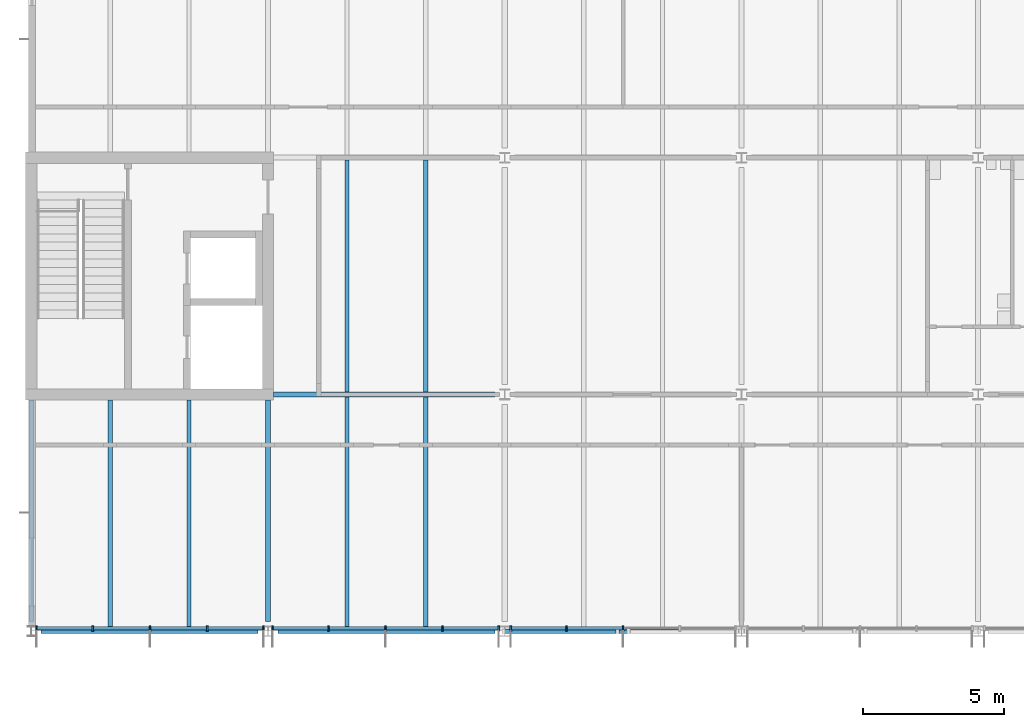
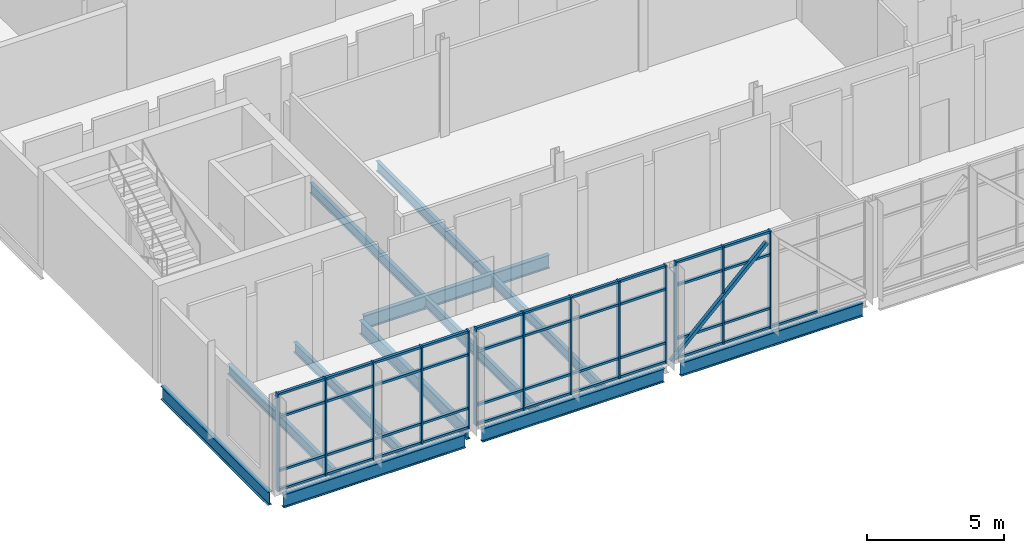
# One storey, part 11 of 89: 55 members, 12 beams, 3 elements without a shape of their own.
"""IFC4 building model written with IfcOpenShell, lengths in metres."""

from ifc_helpers import new_model, si_unit, direction, frame, origin, origin_2d, place, context, subcontext, project, spatial, rectangle, hollow_rectangle, i_section, extrude, material, material_profile, profile_set, type_object, element, aggregate, save


model = new_model("IFC4")

# Units and contexts
model_context = context("Model", 3, precision=1e-05, world=origin(), true_north=direction((0.0, 1.0)))
body_context = subcontext(model_context, "Body", "Model", "MODEL_VIEW")
ifc_project = project(units=[si_unit("LENGTHUNIT", "METRE"), si_unit("AREAUNIT", "SQUARE_METRE"), si_unit("VOLUMEUNIT", "CUBIC_METRE"), si_unit("PLANEANGLEUNIT", "RADIAN"), si_unit("MASSUNIT", "GRAM", prefix="KILO")], contexts=[model_context])

# Site, building, storey
site_placement = place(None, origin())
site = spatial("IfcSite", under=ifc_project, at=site_placement, CompositionType="ELEMENT")
building_placement = place(site_placement, origin())
building = spatial("IfcBuilding", under=site, at=building_placement, Name="Hlaing Beacon Police Headquarters", CompositionType="ELEMENT")
storey_placement = place(building_placement, frame((0.0, 0.0, 9.89990234375)))
storey = spatial("IfcBuildingStorey", under=building, at=storey_placement, Name="L02", CompositionType="ELEMENT", Elevation=9.89990234375)

# Member
ifc_material_1 = material(Name="Steel ASTM A500 Grade C", Category="steel")
ifc_material_profile_1 = material_profile(ifc_material_1, hollow_rectangle(XDim=0.15234375, YDim=0.15234375, WallThickness=0.0126953125, at=origin_2d()), Name="HSS6x6x1/2")
ifc_profile_set_1 = profile_set([ifc_material_profile_1], Name="Steel ASTM A500 Grade C")
member_type_1 = type_object("IfcMemberType", Name="Chevron brace HSS6x6x1/2", PredefinedType="BRACE", material=ifc_profile_set_1)
member_1_placement = place(storey_placement, frame((25.156982421875, 8.39990234375, 0.05517578125), z_axis=(0.719900149017, 0.0, 0.694077643672), x_axis=(0.0, 1.0, 0.0)))
element("IfcMember", 1, at=member_1_placement, inside=storey, type_object=member_type_1, Name="STR-BR-L02-2Da", PredefinedType="BRACE", context=body_context, shape_type="SweptSolid", body=[
    extrude(hollow_rectangle(XDim=0.15234375, YDim=0.15234375, WallThickness=0.0126953125, at=origin_2d()), origin(), (0.0, 0.0, 1.0), 5.615966796875),
])

# Beams
ifc_material_2 = material(Name="Steel ASTM A992 Grade 50", Category="steel")
ifc_material_profile_2 = material_profile(ifc_material_2, i_section(OverallWidth=0.177978515625, OverallDepth=0.599365234375, WebThickness=0.010009765625, FlangeThickness=0.012939453125, FilletRadius=0.012939453125, at=origin_2d()), Name="W24x55")
ifc_profile_set_2 = profile_set([ifc_material_profile_2], Name="Steel ASTM A992 Grade 50")
beam_type_1 = type_object("IfcBeamType", Name="Girder W24x55", PredefinedType="BEAM", material=ifc_profile_set_2)
beam_1_placement = place(storey_placement, frame((8.75, 8.39990234375, -0.4296875), z_axis=(1.0, 0.0, 0.0), x_axis=(0.0, 1.0, 0.0)))
element("IfcBeam", 2, at=beam_1_placement, inside=storey, type_object=beam_type_1, Name="STR-BM-L02-GX-B2-C2", PredefinedType="BEAM", context=body_context, shape_type="SweptSolid", body=[
    extrude(i_section(OverallWidth=0.177978515625, OverallDepth=0.599365234375, WebThickness=0.010009765625, FlangeThickness=0.012939453125, FilletRadius=0.012939453125, at=origin_2d()), origin(), (0.0, 0.0, 1.0), 7.699951171875),
])
beam_2_placement = place(storey_placement, frame((17.14990234375, 8.39990234375, -0.4296875), z_axis=(1.0, 0.0, 0.0), x_axis=(0.0, 1.0, 0.0)))
element("IfcBeam", 3, at=beam_2_placement, inside=storey, type_object=beam_type_1, Name="STR-BM-L02-GX-C2-D2", PredefinedType="BEAM", context=body_context, shape_type="SweptSolid", body=[
    extrude(i_section(OverallWidth=0.177978515625, OverallDepth=0.599365234375, WebThickness=0.010009765625, FlangeThickness=0.012939453125, FilletRadius=0.012939453125, at=origin_2d()), origin(), (0.0, 0.0, 1.0), 7.7001953125),
])
beam_3_placement = place(storey_placement, frame((25.550048828125, 8.39990234375, -0.4296875), z_axis=(1.0, 0.0, 0.0), x_axis=(0.0, 1.0, 0.0)))
element("IfcBeam", 4, at=beam_3_placement, inside=storey, type_object=beam_type_1, Name="STR-BM-L02-GX-D2-E2", PredefinedType="BEAM", context=body_context, shape_type="SweptSolid", body=[
    extrude(i_section(OverallWidth=0.177978515625, OverallDepth=0.599365234375, WebThickness=0.010009765625, FlangeThickness=0.012939453125, FilletRadius=0.012939453125, at=origin_2d()), origin(), (0.0, 0.0, 1.0), 7.699951171875),
])
for number, where, z_axis, x_axis, name in (
    (5, (17.0, 16.800048828125, -0.4296875), (1.0, 0.0, 0.0), (0.0, 1.0, 0.0), "STR-BM-L02-GX-C3-D3"),
    (6, (8.39990234375, 8.75, -0.4296875), (0.0, 1.0, 0.0), (-1.0, 0.0, 0.0), "STR-BM-L02-GY-B2-B3"),
    (7, (16.800048828125, 8.75, -0.4296875), (0.0, 1.0, 0.0), (-1.0, 0.0, 0.0), "STR-BM-L02-GY-C2-C3"),
):
    element("IfcBeam", number, at=place(storey_placement, frame(where, z_axis=z_axis, x_axis=x_axis)), inside=storey, type_object=beam_type_1, Name=name, PredefinedType="BEAM", context=body_context, shape_type="SweptSolid", body=[
        extrude(i_section(OverallWidth=0.177978515625, OverallDepth=0.599365234375, WebThickness=0.010009765625, FlangeThickness=0.012939453125, FilletRadius=0.012939453125, at=origin_2d()), origin(), (0.0, 0.0, 1.0), 7.85009765625),
    ])

# Curtain wall, members
ifc_material_3 = material(Name="Aluminium frame with solar control glazing", Category="aluminium")
curtain_wall_type_1 = type_object("IfcCurtainWallType", Name="Unitised curtain wall 8.12 x 4.37", PredefinedType="NOTDEFINED", material=ifc_material_3)
curtain_wall_1_placement = place(storey_placement, origin())
curtain_wall_1 = element("IfcCurtainWall", 8, at=curtain_wall_1_placement, inside=storey, type_object=curtain_wall_type_1, Name="ENV-CW-L02-S009", PredefinedType="NOTDEFINED")
ifc_material_4 = material(Name="Aluminium", Category="aluminium")
ifc_material_profile_3 = material_profile(ifc_material_4, rectangle(XDim=0.199951171875, YDim=0.06005859375, at=origin_2d()), Name="Mullion 60x200")
ifc_profile_set_3 = profile_set([ifc_material_profile_3], Name="Aluminium")
member_type_2 = type_object("IfcMemberType", Name="Mullion 60x200", PredefinedType="MULLION", material=ifc_profile_set_3)
member_2_placement = place(storey_placement, frame((8.580078125, 8.5, 0.0), z_axis=(0.0, 0.0, 1.0), x_axis=(0.0, 1.0, 0.0)))
member_2 = element("IfcMember", 9, at=member_2_placement, type_object=member_type_2, Name="CW-L02-S009 mullion 1", PredefinedType="MULLION", context=body_context, shape_type="SweptSolid", body=[
    extrude(rectangle(XDim=0.199951171875, YDim=0.06005859375, at=origin_2d()), origin(), (0.0, 0.0, 1.0), 4.3701171875),
])
member_3_placement = place(storey_placement, frame((10.580322265625, 8.5, 0.0), z_axis=(0.0, 0.0, 1.0), x_axis=(0.0, 1.0, 0.0)))
member_3 = element("IfcMember", 10, at=member_3_placement, type_object=member_type_2, Name="CW-L02-S009 mullion 2", PredefinedType="MULLION", context=body_context, shape_type="SweptSolid", body=[
    extrude(rectangle(XDim=0.199951171875, YDim=0.06005859375, at=origin_2d()), origin(), (0.0, 0.0, 1.0), 4.3701171875),
])
member_4_placement = place(storey_placement, frame((12.61083984375, 8.5, 0.0), z_axis=(0.0, 0.0, 1.0), x_axis=(0.0, 1.0, 0.0)))
member_4 = element("IfcMember", 11, at=member_4_placement, type_object=member_type_2, Name="CW-L02-S009 mullion 3", PredefinedType="MULLION", context=body_context, shape_type="SweptSolid", body=[
    extrude(rectangle(XDim=0.199951171875, YDim=0.06005859375, at=origin_2d()), origin(), (0.0, 0.0, 1.0), 4.3701171875),
])
member_5_placement = place(storey_placement, frame((14.641357421875, 8.5, 0.0), z_axis=(0.0, 0.0, 1.0), x_axis=(0.0, 1.0, 0.0)))
member_5 = element("IfcMember", 12, at=member_5_placement, type_object=member_type_2, Name="CW-L02-S009 mullion 4", PredefinedType="MULLION", context=body_context, shape_type="SweptSolid", body=[
    extrude(rectangle(XDim=0.199951171875, YDim=0.06005859375, at=origin_2d()), origin(), (0.0, 0.0, 1.0), 4.3701171875),
])
member_6_placement = place(storey_placement, frame((16.6416015625, 8.5, 0.0), z_axis=(0.0, 0.0, 1.0), x_axis=(0.0, 1.0, 0.0)))
member_6 = element("IfcMember", 13, at=member_6_placement, type_object=member_type_2, Name="CW-L02-S009 mullion 5", PredefinedType="MULLION", context=body_context, shape_type="SweptSolid", body=[
    extrude(rectangle(XDim=0.199951171875, YDim=0.06005859375, at=origin_2d()), origin(), (0.0, 0.0, 1.0), 4.3701171875),
])

ifc_material_5 = material(Name="Aluminium frame with solar control glazing", Category="aluminium")
curtain_wall_type_2 = type_object("IfcCurtainWallType", Name="Unitised curtain wall 8.09 x 4.37", PredefinedType="NOTDEFINED", material=ifc_material_5)
curtain_wall_2_placement = place(storey_placement, origin())
curtain_wall_2 = element("IfcCurtainWall", 14, at=curtain_wall_2_placement, inside=storey, type_object=curtain_wall_type_2, Name="ENV-CW-L02-S010", PredefinedType="NOTDEFINED")
member_7_placement = place(storey_placement, frame((16.958251953125, 8.5, 0.0), z_axis=(0.0, 0.0, 1.0), x_axis=(0.0, 1.0, 0.0)))
member_7 = element("IfcMember", 15, at=member_7_placement, type_object=member_type_2, Name="CW-L02-S010 mullion 1", PredefinedType="MULLION", context=body_context, shape_type="SweptSolid", body=[
    extrude(rectangle(XDim=0.199951171875, YDim=0.06005859375, at=origin_2d()), origin(), (0.0, 0.0, 1.0), 4.3701171875),
])
member_8_placement = place(storey_placement, frame((18.949951171875, 8.5, 0.0), z_axis=(0.0, 0.0, 1.0), x_axis=(0.0, 1.0, 0.0)))
member_8 = element("IfcMember", 16, at=member_8_placement, type_object=member_type_2, Name="CW-L02-S010 mullion 2", PredefinedType="MULLION", context=body_context, shape_type="SweptSolid", body=[
    extrude(rectangle(XDim=0.199951171875, YDim=0.06005859375, at=origin_2d()), origin(), (0.0, 0.0, 1.0), 4.3701171875),
])
member_9_placement = place(storey_placement, frame((20.971435546875, 8.5, 0.0), z_axis=(0.0, 0.0, 1.0), x_axis=(0.0, 1.0, 0.0)))
member_9 = element("IfcMember", 17, at=member_9_placement, type_object=member_type_2, Name="CW-L02-S010 mullion 3", PredefinedType="MULLION", context=body_context, shape_type="SweptSolid", body=[
    extrude(rectangle(XDim=0.199951171875, YDim=0.06005859375, at=origin_2d()), origin(), (0.0, 0.0, 1.0), 4.3701171875),
])
member_10_placement = place(storey_placement, frame((22.992919921875, 8.5, 0.0), z_axis=(0.0, 0.0, 1.0), x_axis=(0.0, 1.0, 0.0)))
member_10 = element("IfcMember", 18, at=member_10_placement, type_object=member_type_2, Name="CW-L02-S010 mullion 4", PredefinedType="MULLION", context=body_context, shape_type="SweptSolid", body=[
    extrude(rectangle(XDim=0.199951171875, YDim=0.06005859375, at=origin_2d()), origin(), (0.0, 0.0, 1.0), 4.3701171875),
])
member_11_placement = place(storey_placement, frame((24.984619140625, 8.5, 0.0), z_axis=(0.0, 0.0, 1.0), x_axis=(0.0, 1.0, 0.0)))
member_11 = element("IfcMember", 19, at=member_11_placement, type_object=member_type_2, Name="CW-L02-S010 mullion 5", PredefinedType="MULLION", context=body_context, shape_type="SweptSolid", body=[
    extrude(rectangle(XDim=0.199951171875, YDim=0.06005859375, at=origin_2d()), origin(), (0.0, 0.0, 1.0), 4.3701171875),
])

ifc_material_6 = material(Name="Aluminium frame with solar control glazing", Category="aluminium")
curtain_wall_type_3 = type_object("IfcCurtainWallType", Name="Unitised curtain wall 8.03 x 4.37", PredefinedType="NOTDEFINED", material=ifc_material_6)
curtain_wall_3_placement = place(storey_placement, origin())
curtain_wall_3 = element("IfcCurtainWall", 20, at=curtain_wall_3_placement, inside=storey, type_object=curtain_wall_type_3, Name="ENV-CW-L02-S011", PredefinedType="NOTDEFINED")
member_12_placement = place(storey_placement, frame((25.415283203125, 8.5, 0.0), z_axis=(0.0, 0.0, 1.0), x_axis=(0.0, 1.0, 0.0)))
member_12 = element("IfcMember", 21, at=member_12_placement, type_object=member_type_2, Name="CW-L02-S011 mullion 1", PredefinedType="MULLION", context=body_context, shape_type="SweptSolid", body=[
    extrude(rectangle(XDim=0.199951171875, YDim=0.06005859375, at=origin_2d()), origin(), (0.0, 0.0, 1.0), 4.3701171875),
])
member_13_placement = place(storey_placement, frame((27.392578125, 8.5, 0.0), z_axis=(0.0, 0.0, 1.0), x_axis=(0.0, 1.0, 0.0)))
member_13 = element("IfcMember", 22, at=member_13_placement, type_object=member_type_2, Name="CW-L02-S011 mullion 2", PredefinedType="MULLION", context=body_context, shape_type="SweptSolid", body=[
    extrude(rectangle(XDim=0.199951171875, YDim=0.06005859375, at=origin_2d()), origin(), (0.0, 0.0, 1.0), 4.3701171875),
])
member_14_placement = place(storey_placement, frame((29.39990234375, 8.5, 0.0), z_axis=(0.0, 0.0, 1.0), x_axis=(0.0, 1.0, 0.0)))
member_14 = element("IfcMember", 23, at=member_14_placement, type_object=member_type_2, Name="CW-L02-S011 mullion 3", PredefinedType="MULLION", context=body_context, shape_type="SweptSolid", body=[
    extrude(rectangle(XDim=0.199951171875, YDim=0.06005859375, at=origin_2d()), origin(), (0.0, 0.0, 1.0), 4.3701171875),
])

# Beams
ifc_material_7 = material(Name="Steel ASTM A992 Grade 50", Category="steel")
ifc_material_profile_4 = material_profile(ifc_material_7, i_section(OverallWidth=0.15234375, OverallDepth=0.449462890625, WebThickness=0.007568359375, FlangeThickness=0.0107421875, FilletRadius=0.01025390625, at=origin_2d()), Name="W18x35")
ifc_profile_set_4 = profile_set([ifc_material_profile_4], Name="Steel ASTM A992 Grade 50")
beam_type_2 = type_object("IfcBeamType", Name="Secondary beam W18x35", PredefinedType="BEAM", material=ifc_profile_set_4)
for number, where, z_axis, x_axis, name in (
    (24, (11.199951171875, 8.489013671875, -0.354736328125), (0.0, 1.0, 0.0), (-1.0, 0.0, 0.0), "STR-BM-L02-SB-B2-y1"),
    (25, (14.0, 8.489013671875, -0.354736328125), (0.0, 1.0, 0.0), (-1.0, 0.0, 0.0), "STR-BM-L02-SB-B2-y2"),
):
    element("IfcBeam", number, at=place(storey_placement, frame(where, z_axis=z_axis, x_axis=x_axis)), inside=storey, type_object=beam_type_2, Name=name, PredefinedType="BEAM", context=body_context, shape_type="SweptSolid", body=[
        extrude(i_section(OverallWidth=0.15234375, OverallDepth=0.449462890625, WebThickness=0.007568359375, FlangeThickness=0.0107421875, FilletRadius=0.01025390625, at=origin_2d()), origin(), (0.0, 0.0, 1.0), 8.111083984375),
    ])
for number, where, z_axis, x_axis, name in (
    (26, (19.60009765625, 8.489013671875, -0.354736328125), (0.0, 1.0, 0.0), (-1.0, 0.0, 0.0), "STR-BM-L02-SB-C2-y1"),
    (27, (22.39990234375, 8.489013671875, -0.354736328125), (0.0, 1.0, 0.0), (-1.0, 0.0, 0.0), "STR-BM-L02-SB-C2-y2"),
):
    element("IfcBeam", number, at=place(storey_placement, frame(where, z_axis=z_axis, x_axis=x_axis)), inside=storey, type_object=beam_type_2, Name=name, PredefinedType="BEAM", context=body_context, shape_type="SweptSolid", body=[
        extrude(i_section(OverallWidth=0.15234375, OverallDepth=0.449462890625, WebThickness=0.007568359375, FlangeThickness=0.0107421875, FilletRadius=0.01025390625, at=origin_2d()), origin(), (0.0, 0.0, 1.0), 8.221923828125),
    ])
for number, where, z_axis, x_axis, name in (
    (28, (19.60009765625, 16.888916015625, -0.354736328125), (0.0, 1.0, 0.0), (-1.0, 0.0, 0.0), "STR-BM-L02-SB-C3-y1"),
    (29, (22.39990234375, 16.888916015625, -0.354736328125), (0.0, 1.0, 0.0), (-1.0, 0.0, 0.0), "STR-BM-L02-SB-C3-y2"),
):
    element("IfcBeam", number, at=place(storey_placement, frame(where, z_axis=z_axis, x_axis=x_axis)), inside=storey, type_object=beam_type_2, Name=name, PredefinedType="BEAM", context=body_context, shape_type="SweptSolid", body=[
        extrude(i_section(OverallWidth=0.15234375, OverallDepth=0.449462890625, WebThickness=0.007568359375, FlangeThickness=0.0107421875, FilletRadius=0.01025390625, at=origin_2d()), origin(), (0.0, 0.0, 1.0), 8.22216796875),
    ])

# Member
ifc_material_8 = material(Name="Aluminium", Category="aluminium")
ifc_material_profile_5 = material_profile(ifc_material_8, rectangle(XDim=0.1201171875, YDim=0.10009765625, at=origin_2d()), Name="Transom 120x100")
ifc_profile_set_5 = profile_set([ifc_material_profile_5], Name="Aluminium")
member_type_3 = type_object("IfcMemberType", Name="Transom 120x100", PredefinedType="USERDEFINED", material=ifc_profile_set_5)
member_15_placement = place(storey_placement, frame((8.610107421875, 8.5, 0.050048828125), z_axis=(1.0, 0.0, 0.0), x_axis=(0.0, 1.0, 0.0)))
member_15 = element("IfcMember", 30, at=member_15_placement, type_object=member_type_3, Name="CW-L02-S009 transom 1.1", ObjectType="TRANSOM", PredefinedType="USERDEFINED", context=body_context, shape_type="SweptSolid", body=[
    extrude(rectangle(XDim=0.1201171875, YDim=0.10009765625, at=origin_2d()), origin(), (0.0, 0.0, 1.0), 1.9404296875),
])

member_16_placement = place(storey_placement, frame((8.610107421875, 8.5, 0.900146484375), z_axis=(1.0, 0.0, 0.0), x_axis=(0.0, 1.0, 0.0)))
member_16 = element("IfcMember", 31, at=member_16_placement, type_object=member_type_3, Name="CW-L02-S009 transom 1.2", ObjectType="TRANSOM", PredefinedType="USERDEFINED", context=body_context, shape_type="SweptSolid", body=[
    extrude(rectangle(XDim=0.1201171875, YDim=0.10009765625, at=origin_2d()), origin(), (0.0, 0.0, 1.0), 1.9404296875),
])

member_17_placement = place(storey_placement, frame((8.610107421875, 8.5, 3.300048828125), z_axis=(1.0, 0.0, 0.0), x_axis=(0.0, 1.0, 0.0)))
member_17 = element("IfcMember", 32, at=member_17_placement, type_object=member_type_3, Name="CW-L02-S009 transom 1.3", ObjectType="TRANSOM", PredefinedType="USERDEFINED", context=body_context, shape_type="SweptSolid", body=[
    extrude(rectangle(XDim=0.1201171875, YDim=0.10009765625, at=origin_2d()), origin(), (0.0, 0.0, 1.0), 1.9404296875),
])

member_18_placement = place(storey_placement, frame((8.610107421875, 8.5, 4.320068359375), z_axis=(1.0, 0.0, 0.0), x_axis=(0.0, 1.0, 0.0)))
member_18 = element("IfcMember", 33, at=member_18_placement, type_object=member_type_3, Name="CW-L02-S009 transom 1.4", ObjectType="TRANSOM", PredefinedType="USERDEFINED", context=body_context, shape_type="SweptSolid", body=[
    extrude(rectangle(XDim=0.1201171875, YDim=0.10009765625, at=origin_2d()), origin(), (0.0, 0.0, 1.0), 1.9404296875),
])

member_19_placement = place(storey_placement, frame((10.6103515625, 8.5, 0.050048828125), z_axis=(1.0, 0.0, 0.0), x_axis=(0.0, 1.0, 0.0)))
member_19 = element("IfcMember", 34, at=member_19_placement, type_object=member_type_3, Name="CW-L02-S009 transom 2.1", ObjectType="TRANSOM", PredefinedType="USERDEFINED", context=body_context, shape_type="SweptSolid", body=[
    extrude(rectangle(XDim=0.1201171875, YDim=0.10009765625, at=origin_2d()), origin(), (0.0, 0.0, 1.0), 1.970458984375),
])

member_20_placement = place(storey_placement, frame((10.6103515625, 8.5, 0.900146484375), z_axis=(1.0, 0.0, 0.0), x_axis=(0.0, 1.0, 0.0)))
member_20 = element("IfcMember", 35, at=member_20_placement, type_object=member_type_3, Name="CW-L02-S009 transom 2.2", ObjectType="TRANSOM", PredefinedType="USERDEFINED", context=body_context, shape_type="SweptSolid", body=[
    extrude(rectangle(XDim=0.1201171875, YDim=0.10009765625, at=origin_2d()), origin(), (0.0, 0.0, 1.0), 1.970458984375),
])

member_21_placement = place(storey_placement, frame((10.6103515625, 8.5, 3.300048828125), z_axis=(1.0, 0.0, 0.0), x_axis=(0.0, 1.0, 0.0)))
member_21 = element("IfcMember", 36, at=member_21_placement, type_object=member_type_3, Name="CW-L02-S009 transom 2.3", ObjectType="TRANSOM", PredefinedType="USERDEFINED", context=body_context, shape_type="SweptSolid", body=[
    extrude(rectangle(XDim=0.1201171875, YDim=0.10009765625, at=origin_2d()), origin(), (0.0, 0.0, 1.0), 1.970458984375),
])

member_22_placement = place(storey_placement, frame((10.6103515625, 8.5, 4.320068359375), z_axis=(1.0, 0.0, 0.0), x_axis=(0.0, 1.0, 0.0)))
member_22 = element("IfcMember", 37, at=member_22_placement, type_object=member_type_3, Name="CW-L02-S009 transom 2.4", ObjectType="TRANSOM", PredefinedType="USERDEFINED", context=body_context, shape_type="SweptSolid", body=[
    extrude(rectangle(XDim=0.1201171875, YDim=0.10009765625, at=origin_2d()), origin(), (0.0, 0.0, 1.0), 1.970458984375),
])

member_23_placement = place(storey_placement, frame((12.640869140625, 8.5, 0.050048828125), z_axis=(1.0, 0.0, 0.0), x_axis=(0.0, 1.0, 0.0)))
member_23 = element("IfcMember", 38, at=member_23_placement, type_object=member_type_3, Name="CW-L02-S009 transom 3.1", ObjectType="TRANSOM", PredefinedType="USERDEFINED", context=body_context, shape_type="SweptSolid", body=[
    extrude(rectangle(XDim=0.1201171875, YDim=0.10009765625, at=origin_2d()), origin(), (0.0, 0.0, 1.0), 1.970458984375),
])

member_24_placement = place(storey_placement, frame((12.640869140625, 8.5, 0.900146484375), z_axis=(1.0, 0.0, 0.0), x_axis=(0.0, 1.0, 0.0)))
member_24 = element("IfcMember", 39, at=member_24_placement, type_object=member_type_3, Name="CW-L02-S009 transom 3.2", ObjectType="TRANSOM", PredefinedType="USERDEFINED", context=body_context, shape_type="SweptSolid", body=[
    extrude(rectangle(XDim=0.1201171875, YDim=0.10009765625, at=origin_2d()), origin(), (0.0, 0.0, 1.0), 1.970458984375),
])

member_25_placement = place(storey_placement, frame((12.640869140625, 8.5, 3.300048828125), z_axis=(1.0, 0.0, 0.0), x_axis=(0.0, 1.0, 0.0)))
member_25 = element("IfcMember", 40, at=member_25_placement, type_object=member_type_3, Name="CW-L02-S009 transom 3.3", ObjectType="TRANSOM", PredefinedType="USERDEFINED", context=body_context, shape_type="SweptSolid", body=[
    extrude(rectangle(XDim=0.1201171875, YDim=0.10009765625, at=origin_2d()), origin(), (0.0, 0.0, 1.0), 1.970458984375),
])

member_26_placement = place(storey_placement, frame((12.640869140625, 8.5, 4.320068359375), z_axis=(1.0, 0.0, 0.0), x_axis=(0.0, 1.0, 0.0)))
member_26 = element("IfcMember", 41, at=member_26_placement, type_object=member_type_3, Name="CW-L02-S009 transom 3.4", ObjectType="TRANSOM", PredefinedType="USERDEFINED", context=body_context, shape_type="SweptSolid", body=[
    extrude(rectangle(XDim=0.1201171875, YDim=0.10009765625, at=origin_2d()), origin(), (0.0, 0.0, 1.0), 1.970458984375),
])

member_27_placement = place(storey_placement, frame((14.67138671875, 8.5, 0.050048828125), z_axis=(1.0, 0.0, 0.0), x_axis=(0.0, 1.0, 0.0)))
member_27 = element("IfcMember", 42, at=member_27_placement, type_object=member_type_3, Name="CW-L02-S009 transom 4.1", ObjectType="TRANSOM", PredefinedType="USERDEFINED", context=body_context, shape_type="SweptSolid", body=[
    extrude(rectangle(XDim=0.1201171875, YDim=0.10009765625, at=origin_2d()), origin(), (0.0, 0.0, 1.0), 1.9404296875),
])

member_28_placement = place(storey_placement, frame((14.67138671875, 8.5, 0.900146484375), z_axis=(1.0, 0.0, 0.0), x_axis=(0.0, 1.0, 0.0)))
member_28 = element("IfcMember", 43, at=member_28_placement, type_object=member_type_3, Name="CW-L02-S009 transom 4.2", ObjectType="TRANSOM", PredefinedType="USERDEFINED", context=body_context, shape_type="SweptSolid", body=[
    extrude(rectangle(XDim=0.1201171875, YDim=0.10009765625, at=origin_2d()), origin(), (0.0, 0.0, 1.0), 1.9404296875),
])

member_29_placement = place(storey_placement, frame((14.67138671875, 8.5, 3.300048828125), z_axis=(1.0, 0.0, 0.0), x_axis=(0.0, 1.0, 0.0)))
member_29 = element("IfcMember", 44, at=member_29_placement, type_object=member_type_3, Name="CW-L02-S009 transom 4.3", ObjectType="TRANSOM", PredefinedType="USERDEFINED", context=body_context, shape_type="SweptSolid", body=[
    extrude(rectangle(XDim=0.1201171875, YDim=0.10009765625, at=origin_2d()), origin(), (0.0, 0.0, 1.0), 1.9404296875),
])

member_30_placement = place(storey_placement, frame((14.67138671875, 8.5, 4.320068359375), z_axis=(1.0, 0.0, 0.0), x_axis=(0.0, 1.0, 0.0)))
member_30 = element("IfcMember", 45, at=member_30_placement, type_object=member_type_3, Name="CW-L02-S009 transom 4.4", ObjectType="TRANSOM", PredefinedType="USERDEFINED", context=body_context, shape_type="SweptSolid", body=[
    extrude(rectangle(XDim=0.1201171875, YDim=0.10009765625, at=origin_2d()), origin(), (0.0, 0.0, 1.0), 1.9404296875),
])

aggregate(curtain_wall_1, [member_2, member_3, member_4, member_5, member_6, member_15, member_16, member_17, member_18, member_19, member_20, member_21, member_22, member_23, member_24, member_25, member_26, member_27, member_28, member_29, member_30])

member_31_placement = place(storey_placement, frame((16.98828125, 8.5, 0.050048828125), z_axis=(1.0, 0.0, 0.0), x_axis=(0.0, 1.0, 0.0)))
member_31 = element("IfcMember", 46, at=member_31_placement, type_object=member_type_3, Name="CW-L02-S010 transom 1.1", ObjectType="TRANSOM", PredefinedType="USERDEFINED", context=body_context, shape_type="SweptSolid", body=[
    extrude(rectangle(XDim=0.1201171875, YDim=0.10009765625, at=origin_2d()), origin(), (0.0, 0.0, 1.0), 1.931640625),
])

member_32_placement = place(storey_placement, frame((16.98828125, 8.5, 0.900146484375), z_axis=(1.0, 0.0, 0.0), x_axis=(0.0, 1.0, 0.0)))
member_32 = element("IfcMember", 47, at=member_32_placement, type_object=member_type_3, Name="CW-L02-S010 transom 1.2", ObjectType="TRANSOM", PredefinedType="USERDEFINED", context=body_context, shape_type="SweptSolid", body=[
    extrude(rectangle(XDim=0.1201171875, YDim=0.10009765625, at=origin_2d()), origin(), (0.0, 0.0, 1.0), 1.931640625),
])

member_33_placement = place(storey_placement, frame((16.98828125, 8.5, 3.300048828125), z_axis=(1.0, 0.0, 0.0), x_axis=(0.0, 1.0, 0.0)))
member_33 = element("IfcMember", 48, at=member_33_placement, type_object=member_type_3, Name="CW-L02-S010 transom 1.3", ObjectType="TRANSOM", PredefinedType="USERDEFINED", context=body_context, shape_type="SweptSolid", body=[
    extrude(rectangle(XDim=0.1201171875, YDim=0.10009765625, at=origin_2d()), origin(), (0.0, 0.0, 1.0), 1.931640625),
])

member_34_placement = place(storey_placement, frame((16.98828125, 8.5, 4.320068359375), z_axis=(1.0, 0.0, 0.0), x_axis=(0.0, 1.0, 0.0)))
member_34 = element("IfcMember", 49, at=member_34_placement, type_object=member_type_3, Name="CW-L02-S010 transom 1.4", ObjectType="TRANSOM", PredefinedType="USERDEFINED", context=body_context, shape_type="SweptSolid", body=[
    extrude(rectangle(XDim=0.1201171875, YDim=0.10009765625, at=origin_2d()), origin(), (0.0, 0.0, 1.0), 1.931640625),
])

member_35_placement = place(storey_placement, frame((18.97998046875, 8.5, 0.050048828125), z_axis=(1.0, 0.0, 0.0), x_axis=(0.0, 1.0, 0.0)))
member_35 = element("IfcMember", 50, at=member_35_placement, type_object=member_type_3, Name="CW-L02-S010 transom 2.1", ObjectType="TRANSOM", PredefinedType="USERDEFINED", context=body_context, shape_type="SweptSolid", body=[
    extrude(rectangle(XDim=0.1201171875, YDim=0.10009765625, at=origin_2d()), origin(), (0.0, 0.0, 1.0), 1.96142578125),
])

member_36_placement = place(storey_placement, frame((18.97998046875, 8.5, 0.900146484375), z_axis=(1.0, 0.0, 0.0), x_axis=(0.0, 1.0, 0.0)))
member_36 = element("IfcMember", 51, at=member_36_placement, type_object=member_type_3, Name="CW-L02-S010 transom 2.2", ObjectType="TRANSOM", PredefinedType="USERDEFINED", context=body_context, shape_type="SweptSolid", body=[
    extrude(rectangle(XDim=0.1201171875, YDim=0.10009765625, at=origin_2d()), origin(), (0.0, 0.0, 1.0), 1.96142578125),
])

member_37_placement = place(storey_placement, frame((18.97998046875, 8.5, 3.300048828125), z_axis=(1.0, 0.0, 0.0), x_axis=(0.0, 1.0, 0.0)))
member_37 = element("IfcMember", 52, at=member_37_placement, type_object=member_type_3, Name="CW-L02-S010 transom 2.3", ObjectType="TRANSOM", PredefinedType="USERDEFINED", context=body_context, shape_type="SweptSolid", body=[
    extrude(rectangle(XDim=0.1201171875, YDim=0.10009765625, at=origin_2d()), origin(), (0.0, 0.0, 1.0), 1.96142578125),
])

member_38_placement = place(storey_placement, frame((18.97998046875, 8.5, 4.320068359375), z_axis=(1.0, 0.0, 0.0), x_axis=(0.0, 1.0, 0.0)))
member_38 = element("IfcMember", 53, at=member_38_placement, type_object=member_type_3, Name="CW-L02-S010 transom 2.4", ObjectType="TRANSOM", PredefinedType="USERDEFINED", context=body_context, shape_type="SweptSolid", body=[
    extrude(rectangle(XDim=0.1201171875, YDim=0.10009765625, at=origin_2d()), origin(), (0.0, 0.0, 1.0), 1.96142578125),
])

member_39_placement = place(storey_placement, frame((21.00146484375, 8.5, 0.050048828125), z_axis=(1.0, 0.0, 0.0), x_axis=(0.0, 1.0, 0.0)))
member_39 = element("IfcMember", 54, at=member_39_placement, type_object=member_type_3, Name="CW-L02-S010 transom 3.1", ObjectType="TRANSOM", PredefinedType="USERDEFINED", context=body_context, shape_type="SweptSolid", body=[
    extrude(rectangle(XDim=0.1201171875, YDim=0.10009765625, at=origin_2d()), origin(), (0.0, 0.0, 1.0), 1.961669921875),
])

member_40_placement = place(storey_placement, frame((21.00146484375, 8.5, 0.900146484375), z_axis=(1.0, 0.0, 0.0), x_axis=(0.0, 1.0, 0.0)))
member_40 = element("IfcMember", 55, at=member_40_placement, type_object=member_type_3, Name="CW-L02-S010 transom 3.2", ObjectType="TRANSOM", PredefinedType="USERDEFINED", context=body_context, shape_type="SweptSolid", body=[
    extrude(rectangle(XDim=0.1201171875, YDim=0.10009765625, at=origin_2d()), origin(), (0.0, 0.0, 1.0), 1.961669921875),
])

member_41_placement = place(storey_placement, frame((21.00146484375, 8.5, 3.300048828125), z_axis=(1.0, 0.0, 0.0), x_axis=(0.0, 1.0, 0.0)))
member_41 = element("IfcMember", 56, at=member_41_placement, type_object=member_type_3, Name="CW-L02-S010 transom 3.3", ObjectType="TRANSOM", PredefinedType="USERDEFINED", context=body_context, shape_type="SweptSolid", body=[
    extrude(rectangle(XDim=0.1201171875, YDim=0.10009765625, at=origin_2d()), origin(), (0.0, 0.0, 1.0), 1.961669921875),
])

member_42_placement = place(storey_placement, frame((21.00146484375, 8.5, 4.320068359375), z_axis=(1.0, 0.0, 0.0), x_axis=(0.0, 1.0, 0.0)))
member_42 = element("IfcMember", 57, at=member_42_placement, type_object=member_type_3, Name="CW-L02-S010 transom 3.4", ObjectType="TRANSOM", PredefinedType="USERDEFINED", context=body_context, shape_type="SweptSolid", body=[
    extrude(rectangle(XDim=0.1201171875, YDim=0.10009765625, at=origin_2d()), origin(), (0.0, 0.0, 1.0), 1.961669921875),
])

member_43_placement = place(storey_placement, frame((23.02294921875, 8.5, 0.050048828125), z_axis=(1.0, 0.0, 0.0), x_axis=(0.0, 1.0, 0.0)))
member_43 = element("IfcMember", 58, at=member_43_placement, type_object=member_type_3, Name="CW-L02-S010 transom 4.1", ObjectType="TRANSOM", PredefinedType="USERDEFINED", context=body_context, shape_type="SweptSolid", body=[
    extrude(rectangle(XDim=0.1201171875, YDim=0.10009765625, at=origin_2d()), origin(), (0.0, 0.0, 1.0), 1.931640625),
])

member_44_placement = place(storey_placement, frame((23.02294921875, 8.5, 0.900146484375), z_axis=(1.0, 0.0, 0.0), x_axis=(0.0, 1.0, 0.0)))
member_44 = element("IfcMember", 59, at=member_44_placement, type_object=member_type_3, Name="CW-L02-S010 transom 4.2", ObjectType="TRANSOM", PredefinedType="USERDEFINED", context=body_context, shape_type="SweptSolid", body=[
    extrude(rectangle(XDim=0.1201171875, YDim=0.10009765625, at=origin_2d()), origin(), (0.0, 0.0, 1.0), 1.931640625),
])

member_45_placement = place(storey_placement, frame((23.02294921875, 8.5, 3.300048828125), z_axis=(1.0, 0.0, 0.0), x_axis=(0.0, 1.0, 0.0)))
member_45 = element("IfcMember", 60, at=member_45_placement, type_object=member_type_3, Name="CW-L02-S010 transom 4.3", ObjectType="TRANSOM", PredefinedType="USERDEFINED", context=body_context, shape_type="SweptSolid", body=[
    extrude(rectangle(XDim=0.1201171875, YDim=0.10009765625, at=origin_2d()), origin(), (0.0, 0.0, 1.0), 1.931640625),
])

member_46_placement = place(storey_placement, frame((23.02294921875, 8.5, 4.320068359375), z_axis=(1.0, 0.0, 0.0), x_axis=(0.0, 1.0, 0.0)))
member_46 = element("IfcMember", 61, at=member_46_placement, type_object=member_type_3, Name="CW-L02-S010 transom 4.4", ObjectType="TRANSOM", PredefinedType="USERDEFINED", context=body_context, shape_type="SweptSolid", body=[
    extrude(rectangle(XDim=0.1201171875, YDim=0.10009765625, at=origin_2d()), origin(), (0.0, 0.0, 1.0), 1.931640625),
])

aggregate(curtain_wall_2, [member_7, member_8, member_9, member_10, member_11, member_31, member_32, member_33, member_34, member_35, member_36, member_37, member_38, member_39, member_40, member_41, member_42, member_43, member_44, member_45, member_46])

member_47_placement = place(storey_placement, frame((25.4453125, 8.5, 0.050048828125), z_axis=(1.0, 0.0, 0.0), x_axis=(0.0, 1.0, 0.0)))
member_47 = element("IfcMember", 62, at=member_47_placement, type_object=member_type_3, Name="CW-L02-S011 transom 1.1", ObjectType="TRANSOM", PredefinedType="USERDEFINED", context=body_context, shape_type="SweptSolid", body=[
    extrude(rectangle(XDim=0.1201171875, YDim=0.10009765625, at=origin_2d()), origin(), (0.0, 0.0, 1.0), 1.91748046875),
])

member_48_placement = place(storey_placement, frame((25.4453125, 8.5, 0.900146484375), z_axis=(1.0, 0.0, 0.0), x_axis=(0.0, 1.0, 0.0)))
member_48 = element("IfcMember", 63, at=member_48_placement, type_object=member_type_3, Name="CW-L02-S011 transom 1.2", ObjectType="TRANSOM", PredefinedType="USERDEFINED", context=body_context, shape_type="SweptSolid", body=[
    extrude(rectangle(XDim=0.1201171875, YDim=0.10009765625, at=origin_2d()), origin(), (0.0, 0.0, 1.0), 1.91748046875),
])

member_49_placement = place(storey_placement, frame((25.4453125, 8.5, 3.300048828125), z_axis=(1.0, 0.0, 0.0), x_axis=(0.0, 1.0, 0.0)))
member_49 = element("IfcMember", 64, at=member_49_placement, type_object=member_type_3, Name="CW-L02-S011 transom 1.3", ObjectType="TRANSOM", PredefinedType="USERDEFINED", context=body_context, shape_type="SweptSolid", body=[
    extrude(rectangle(XDim=0.1201171875, YDim=0.10009765625, at=origin_2d()), origin(), (0.0, 0.0, 1.0), 1.91748046875),
])

member_50_placement = place(storey_placement, frame((25.4453125, 8.5, 4.320068359375), z_axis=(1.0, 0.0, 0.0), x_axis=(0.0, 1.0, 0.0)))
member_50 = element("IfcMember", 65, at=member_50_placement, type_object=member_type_3, Name="CW-L02-S011 transom 1.4", ObjectType="TRANSOM", PredefinedType="USERDEFINED", context=body_context, shape_type="SweptSolid", body=[
    extrude(rectangle(XDim=0.1201171875, YDim=0.10009765625, at=origin_2d()), origin(), (0.0, 0.0, 1.0), 1.91748046875),
])

member_51_placement = place(storey_placement, frame((27.422607421875, 8.5, 0.050048828125), z_axis=(1.0, 0.0, 0.0), x_axis=(0.0, 1.0, 0.0)))
member_51 = element("IfcMember", 66, at=member_51_placement, type_object=member_type_3, Name="CW-L02-S011 transom 2.1", ObjectType="TRANSOM", PredefinedType="USERDEFINED", context=body_context, shape_type="SweptSolid", body=[
    extrude(rectangle(XDim=0.1201171875, YDim=0.10009765625, at=origin_2d()), origin(), (0.0, 0.0, 1.0), 1.947509765625),
])

member_52_placement = place(storey_placement, frame((27.422607421875, 8.5, 0.900146484375), z_axis=(1.0, 0.0, 0.0), x_axis=(0.0, 1.0, 0.0)))
member_52 = element("IfcMember", 67, at=member_52_placement, type_object=member_type_3, Name="CW-L02-S011 transom 2.2", ObjectType="TRANSOM", PredefinedType="USERDEFINED", context=body_context, shape_type="SweptSolid", body=[
    extrude(rectangle(XDim=0.1201171875, YDim=0.10009765625, at=origin_2d()), origin(), (0.0, 0.0, 1.0), 1.947509765625),
])

member_53_placement = place(storey_placement, frame((27.422607421875, 8.5, 3.300048828125), z_axis=(1.0, 0.0, 0.0), x_axis=(0.0, 1.0, 0.0)))
member_53 = element("IfcMember", 68, at=member_53_placement, type_object=member_type_3, Name="CW-L02-S011 transom 2.3", ObjectType="TRANSOM", PredefinedType="USERDEFINED", context=body_context, shape_type="SweptSolid", body=[
    extrude(rectangle(XDim=0.1201171875, YDim=0.10009765625, at=origin_2d()), origin(), (0.0, 0.0, 1.0), 1.947509765625),
])

member_54_placement = place(storey_placement, frame((27.422607421875, 8.5, 4.320068359375), z_axis=(1.0, 0.0, 0.0), x_axis=(0.0, 1.0, 0.0)))
member_54 = element("IfcMember", 69, at=member_54_placement, type_object=member_type_3, Name="CW-L02-S011 transom 2.4", ObjectType="TRANSOM", PredefinedType="USERDEFINED", context=body_context, shape_type="SweptSolid", body=[
    extrude(rectangle(XDim=0.1201171875, YDim=0.10009765625, at=origin_2d()), origin(), (0.0, 0.0, 1.0), 1.947509765625),
])

member_55_placement = place(storey_placement, frame((29.429931640625, 8.5, 0.050048828125), z_axis=(1.0, 0.0, 0.0), x_axis=(0.0, 1.0, 0.0)))
member_55 = element("IfcMember", 70, at=member_55_placement, type_object=member_type_3, Name="CW-L02-S011 transom 3.1", ObjectType="TRANSOM", PredefinedType="USERDEFINED", context=body_context, shape_type="SweptSolid", body=[
    extrude(rectangle(XDim=0.1201171875, YDim=0.10009765625, at=origin_2d()), origin(), (0.0, 0.0, 1.0), 1.947265625),
])

aggregate(curtain_wall_3, [member_12, member_13, member_14, member_47, member_48, member_49, member_50, member_51, member_52, member_53, member_54, member_55])

save(model, "model.ifc")
